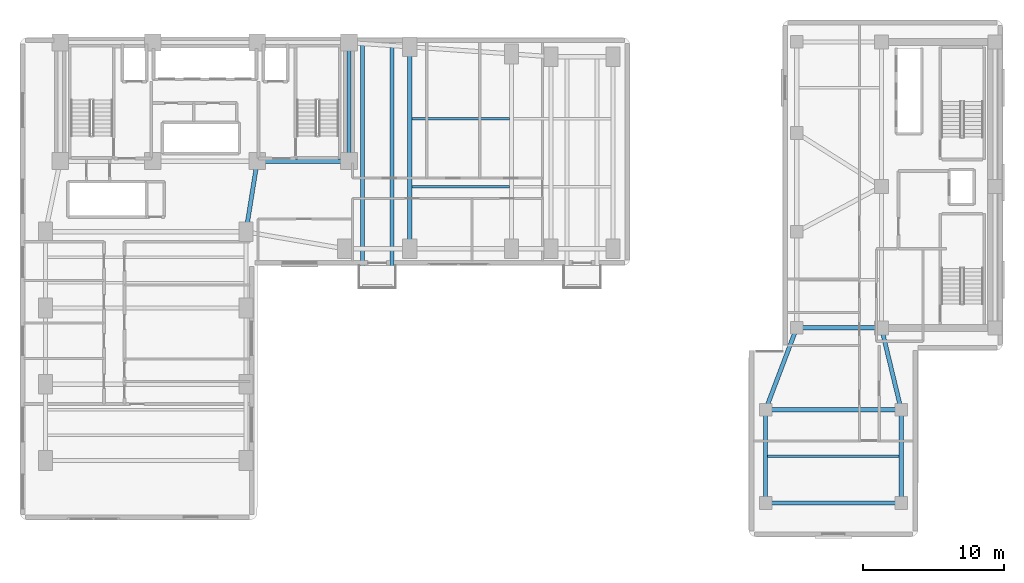
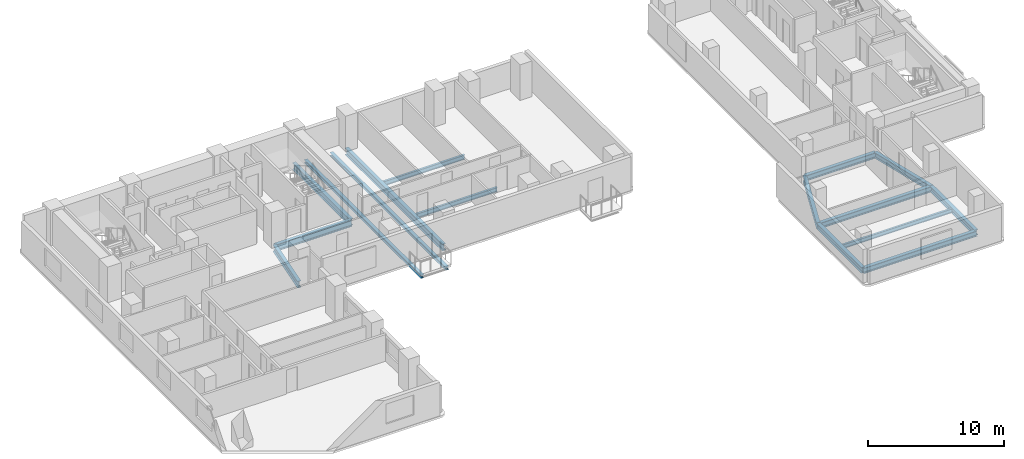
# One storey, part 5 of 14: 16 beams.
"""IFC4 building model written with IfcOpenShell, lengths in metres."""

from ifc_helpers import new_model, si_unit, direction, frame, origin, origin_2d, place, context, subcontext, project, spatial, i_section, extrude, material, material_profile, profile_set, type_object, element, save


model = new_model("IFC4")

# Units and contexts
model_context = context("Model", 3, precision=1e-05, world=origin(), true_north=direction((0.0, 1.0)))
body_context = subcontext(model_context, "Body", "Model", "MODEL_VIEW")
ifc_project = project(units=[si_unit("LENGTHUNIT", "METRE"), si_unit("AREAUNIT", "SQUARE_METRE"), si_unit("VOLUMEUNIT", "CUBIC_METRE"), si_unit("PLANEANGLEUNIT", "RADIAN"), si_unit("MASSUNIT", "GRAM", prefix="KILO")], contexts=[model_context])

# Site, building, storey
site_placement = place(None, origin())
site = spatial("IfcSite", under=ifc_project, at=site_placement, CompositionType="ELEMENT")
building_placement = place(site_placement, origin())
building = spatial("IfcBuilding", under=site, at=building_placement, Name="Kuzgunbayir Cultural Tower", CompositionType="ELEMENT")
storey_placement = place(building_placement, frame((0.0, 0.0, 62.800048828125)))
storey = spatial("IfcBuildingStorey", under=building, at=storey_placement, Name="L17", CompositionType="ELEMENT", Elevation=62.800048828125)

# Beams
ifc_material = material(Name="Steel S355J2", Category="steel")
ifc_material_profile_1 = material_profile(ifc_material, i_section(OverallWidth=0.280029296875, OverallDepth=0.280029296875, WebThickness=0.010498046875, FlangeThickness=0.01806640625, FilletRadius=0.02392578125, at=origin_2d()), Name="HEB 280")
ifc_profile_set_1 = profile_set([ifc_material_profile_1], Name="Steel S355J2")
beam_type_1 = type_object("IfcBeamType", Name="BM-BAL-HEB280", PredefinedType="BEAM", material=ifc_profile_set_1)
beam_1_placement = place(storey_placement, frame((27.85009765625, 24.9599609375, -0.340087890625), z_axis=(0.0, 1.0, 0.0), x_axis=(-1.0, 0.0, 0.0)))
element("IfcBeam", 1, at=beam_1_placement, inside=storey, type_object=beam_type_1, Name="L17 Balcony Outrigger Beam BAL-L17-WB1.1", PredefinedType="BEAM", context=body_context, shape_type="SweptSolid", body=[
    extrude(i_section(OverallWidth=0.280029296875, OverallDepth=0.280029296875, WebThickness=0.010498046875, FlangeThickness=0.01806640625, FilletRadius=0.02392578125, at=origin_2d()), origin(), (0.0, 0.0, 1.0), 17.169921875),
])
beam_2_placement = place(storey_placement, frame((29.949951171875, 24.9599609375, -0.340087890625), z_axis=(0.0, 1.0, 0.0), x_axis=(-1.0, 0.0, 0.0)))
element("IfcBeam", 2, at=beam_2_placement, inside=storey, type_object=beam_type_1, Name="L17 Balcony Outrigger Beam BAL-L17-WB1.2", PredefinedType="BEAM", context=body_context, shape_type="SweptSolid", body=[
    extrude(i_section(OverallWidth=0.280029296875, OverallDepth=0.280029296875, WebThickness=0.010498046875, FlangeThickness=0.01806640625, FilletRadius=0.02392578125, at=origin_2d()), origin(), (0.0, 0.0, 1.0), 17.030029296875),
])
ifc_material_profile_2 = material_profile(ifc_material, i_section(OverallWidth=0.300048828125, OverallDepth=0.5, WebThickness=0.014404296875, FlangeThickness=0.028076171875, FilletRadius=0.027099609375, at=origin_2d()), Name="HEB 500")
ifc_profile_set_2 = profile_set([ifc_material_profile_2], Name="Steel S355J2")
beam_type_2 = type_object("IfcBeamType", Name="BM-EXT-HEB500", PredefinedType="BEAM", material=ifc_profile_set_2)
beam_3_placement = place(storey_placement, frame((56.39990234375, 9.60009765625, -0.429931640625), z_axis=(0.0, 1.0, 0.0), x_axis=(-1.0, 0.0, 0.0)))
element("IfcBeam", 3, at=beam_3_placement, inside=storey, type_object=beam_type_2, Name="L17 Companion Wing B West Girder", PredefinedType="BEAM", context=body_context, shape_type="SweptSolid", body=[
    extrude(i_section(OverallWidth=0.300048828125, OverallDepth=0.5, WebThickness=0.014404296875, FlangeThickness=0.028076171875, FilletRadius=0.027099609375, at=origin_2d()), origin(), (0.0, 0.0, 1.0), 6.599853515625),
])
beam_4_placement = place(storey_placement, frame((56.39990234375, 16.199951171875, -0.429931640625), z_axis=(0.354679148754, 0.93498807556, 0.0), x_axis=(-0.93498807556, 0.354679148754, 0.0)))
element("IfcBeam", 4, at=beam_4_placement, inside=storey, type_object=beam_type_2, Name="L17 Companion Wing B Floor Girder W", PredefinedType="BEAM", context=body_context, shape_type="SweptSolid", body=[
    extrude(i_section(OverallWidth=0.300048828125, OverallDepth=0.5, WebThickness=0.014404296875, FlangeThickness=0.028076171875, FilletRadius=0.027099609375, at=origin_2d()), origin(), (0.0, 0.0, 1.0), 6.203369140625),
])
beam_5_placement = place(storey_placement, frame((66.0, 9.60009765625, -0.429931640625), z_axis=(0.0, 1.0, 0.0), x_axis=(-1.0, 0.0, 0.0)))
element("IfcBeam", 5, at=beam_5_placement, inside=storey, type_object=beam_type_2, Name="L17 Companion Wing B East Girder", PredefinedType="BEAM", context=body_context, shape_type="SweptSolid", body=[
    extrude(i_section(OverallWidth=0.300048828125, OverallDepth=0.5, WebThickness=0.014404296875, FlangeThickness=0.028076171875, FilletRadius=0.027099609375, at=origin_2d()), origin(), (0.0, 0.0, 1.0), 6.599853515625),
])
beam_6_placement = place(storey_placement, frame((66.0, 16.199951171875, -0.429931640625), z_axis=(-0.234623200431, 0.972086392158, 0.0), x_axis=(-0.972086392158, -0.234623200431, 0.0)))
element("IfcBeam", 6, at=beam_6_placement, inside=storey, type_object=beam_type_2, Name="L17 Companion Wing B Floor Girder E", PredefinedType="BEAM", context=body_context, shape_type="SweptSolid", body=[
    extrude(i_section(OverallWidth=0.300048828125, OverallDepth=0.5, WebThickness=0.014404296875, FlangeThickness=0.028076171875, FilletRadius=0.027099609375, at=origin_2d()), origin(), (0.0, 0.0, 1.0), 5.966552734375),
])
beam_7_placement = place(storey_placement, frame((56.39990234375, 9.60009765625, -0.429931640625), z_axis=(1.0, 0.0, 0.0), x_axis=(0.0, 1.0, 0.0)))
element("IfcBeam", 7, at=beam_7_placement, inside=storey, type_object=beam_type_2, Name="L17 Companion Wing B South Girder", PredefinedType="BEAM", context=body_context, shape_type="SweptSolid", body=[
    extrude(i_section(OverallWidth=0.300048828125, OverallDepth=0.5, WebThickness=0.014404296875, FlangeThickness=0.028076171875, FilletRadius=0.027099609375, at=origin_2d()), origin(), (0.0, 0.0, 1.0), 9.60009765625),
])
ifc_material_profile_3 = material_profile(ifc_material, i_section(OverallWidth=0.300048828125, OverallDepth=0.5, WebThickness=0.014404296875, FlangeThickness=0.028076171875, FilletRadius=0.027099609375, at=origin_2d()), Name="HEB 500")
ifc_profile_set_3 = profile_set([ifc_material_profile_3], Name="Steel S355J2")
beam_type_3 = type_object("IfcBeamType", Name="BM-GIR-HEB500", PredefinedType="BEAM", material=ifc_profile_set_3)
beam_8_placement = place(storey_placement, frame((58.60009765625, 22.0, -0.429931640625), z_axis=(1.0, 0.0, 0.0), x_axis=(0.0, 1.0, 0.0)))
element("IfcBeam", 8, at=beam_8_placement, inside=storey, type_object=beam_type_3, Name="L17 Companion Transverse Girder 1", PredefinedType="BEAM", context=body_context, shape_type="SweptSolid", body=[
    extrude(i_section(OverallWidth=0.300048828125, OverallDepth=0.5, WebThickness=0.014404296875, FlangeThickness=0.028076171875, FilletRadius=0.027099609375, at=origin_2d()), origin(), (0.0, 0.0, 1.0), 6.0),
])
beam_9_placement = place(storey_placement, frame((56.39990234375, 16.199951171875, -0.429931640625), z_axis=(1.0, 0.0, 0.0), x_axis=(0.0, 1.0, 0.0)))
element("IfcBeam", 9, at=beam_9_placement, inside=storey, type_object=beam_type_3, Name="L17 Companion Wing B Mid Girder", PredefinedType="BEAM", context=body_context, shape_type="SweptSolid", body=[
    extrude(i_section(OverallWidth=0.300048828125, OverallDepth=0.5, WebThickness=0.014404296875, FlangeThickness=0.028076171875, FilletRadius=0.027099609375, at=origin_2d()), origin(), (0.0, 0.0, 1.0), 9.60009765625),
])
ifc_material_profile_4 = material_profile(ifc_material, i_section(OverallWidth=0.300048828125, OverallDepth=0.60009765625, WebThickness=0.015380859375, FlangeThickness=0.030029296875, FilletRadius=0.027099609375, at=origin_2d()), Name="HEB 600")
ifc_profile_set_4 = profile_set([ifc_material_profile_4], Name="Steel S355J2")
beam_type_4 = type_object("IfcBeamType", Name="BM-GIR-HEB600", PredefinedType="BEAM", material=ifc_profile_set_4)
beam_10_placement = place(storey_placement, frame((20.39990234375, 33.800048828125, -0.47998046875), z_axis=(1.0, 0.0, 0.0), x_axis=(0.0, 1.0, 0.0)))
element("IfcBeam", 10, at=beam_10_placement, inside=storey, type_object=beam_type_4, Name="L17 Core South Girder 3", PredefinedType="BEAM", context=body_context, shape_type="SweptSolid", body=[
    extrude(i_section(OverallWidth=0.300048828125, OverallDepth=0.60009765625, WebThickness=0.015380859375, FlangeThickness=0.030029296875, FilletRadius=0.027099609375, at=origin_2d()), origin(), (0.0, 0.0, 1.0), 6.5),
])
beam_11_placement = place(storey_placement, frame((26.89990234375, 33.800048828125, -0.47998046875), z_axis=(0.0, 1.0, 0.0), x_axis=(-1.0, 0.0, 0.0)))
element("IfcBeam", 11, at=beam_11_placement, inside=storey, type_object=beam_type_4, Name="L17 Core East Edge Girder", PredefinedType="BEAM", context=body_context, shape_type="SweptSolid", body=[
    extrude(i_section(OverallWidth=0.300048828125, OverallDepth=0.60009765625, WebThickness=0.015380859375, FlangeThickness=0.030029296875, FilletRadius=0.027099609375, at=origin_2d()), origin(), (0.0, 0.0, 1.0), 8.39990234375),
])
beam_12_placement = place(storey_placement, frame((19.60009765625, 28.800048828125, -0.47998046875), z_axis=(0.157952891656, 0.987446648694, 0.0), x_axis=(-0.987446648694, 0.157952891656, 0.0)))
element("IfcBeam", 12, at=beam_12_placement, inside=storey, type_object=beam_type_4, Name="L17 Wing A East Core Floor Girder", PredefinedType="BEAM", context=body_context, shape_type="SweptSolid", body=[
    extrude(i_section(OverallWidth=0.300048828125, OverallDepth=0.60009765625, WebThickness=0.015380859375, FlangeThickness=0.030029296875, FilletRadius=0.027099609375, at=origin_2d()), origin(), (0.0, 0.0, 1.0), 5.0634765625),
])
beam_13_placement = place(storey_placement, frame((31.199951171875, 27.60009765625, -0.47998046875), z_axis=(0.0, 1.0, 0.0), x_axis=(-1.0, 0.0, 0.0)))
element("IfcBeam", 13, at=beam_13_placement, inside=storey, type_object=beam_type_4, Name="L17 Wing B Cross Girder 31", PredefinedType="BEAM", context=body_context, shape_type="SweptSolid", body=[
    extrude(i_section(OverallWidth=0.300048828125, OverallDepth=0.60009765625, WebThickness=0.015380859375, FlangeThickness=0.030029296875, FilletRadius=0.027099609375, at=origin_2d()), origin(), (0.0, 0.0, 1.0), 14.2998046875),
])
ifc_material_profile_5 = material_profile(ifc_material, i_section(OverallWidth=0.169921875, OverallDepth=0.360107421875, WebThickness=0.008056640625, FlangeThickness=0.0126953125, FilletRadius=0.01806640625, at=origin_2d()), Name="IPE 360")
ifc_profile_set_5 = profile_set([ifc_material_profile_5], Name="Steel S355J2")
beam_type_5 = type_object("IfcBeamType", Name="BM-JST-IPE360", PredefinedType="JOIST", material=ifc_profile_set_5)
beam_14_placement = place(storey_placement, frame((56.550048828125, 12.89990234375, -0.360107421875), z_axis=(1.0, 0.0, 0.0), x_axis=(0.0, 1.0, 0.0)))
element("IfcBeam", 14, at=beam_14_placement, inside=storey, type_object=beam_type_5, Name="L17 Companion Wing B Joist", PredefinedType="JOIST", context=body_context, shape_type="SweptSolid", body=[
    extrude(i_section(OverallWidth=0.169921875, OverallDepth=0.360107421875, WebThickness=0.008056640625, FlangeThickness=0.0126953125, FilletRadius=0.01806640625, at=origin_2d()), origin(), (0.0, 0.0, 1.0), 9.300048828125),
])
ifc_material_profile_6 = material_profile(ifc_material, i_section(OverallWidth=0.179931640625, OverallDepth=0.39990234375, WebThickness=0.008544921875, FlangeThickness=0.013427734375, FilletRadius=0.02099609375, at=origin_2d()), Name="IPE 400")
ifc_profile_set_6 = profile_set([ifc_material_profile_6], Name="Steel S355J2")
beam_type_6 = type_object("IfcBeamType", Name="BM-JST-IPE400", PredefinedType="JOIST", material=ifc_profile_set_6)
for number, where, z_axis, x_axis, name in (
    (15, (31.35009765625, 32.0, -0.380126953125), (1.0, 0.0, 0.0), (0.0, 1.0, 0.0), "L17 Wing B Secondary Joist 1.1"),
    (16, (31.35009765625, 36.800048828125, -0.380126953125), (1.0, 0.0, 0.0), (0.0, 1.0, 0.0), "L17 Wing B Secondary Joist 1.2"),
):
    element("IfcBeam", number, at=place(storey_placement, frame(where, z_axis=z_axis, x_axis=x_axis)), inside=storey, type_object=beam_type_6, Name=name, PredefinedType="JOIST", context=body_context, shape_type="SweptSolid", body=[
        extrude(i_section(OverallWidth=0.179931640625, OverallDepth=0.39990234375, WebThickness=0.008544921875, FlangeThickness=0.013427734375, FilletRadius=0.02099609375, at=origin_2d()), origin(), (0.0, 0.0, 1.0), 6.89990234375),
    ])

save(model, "model.ifc")
